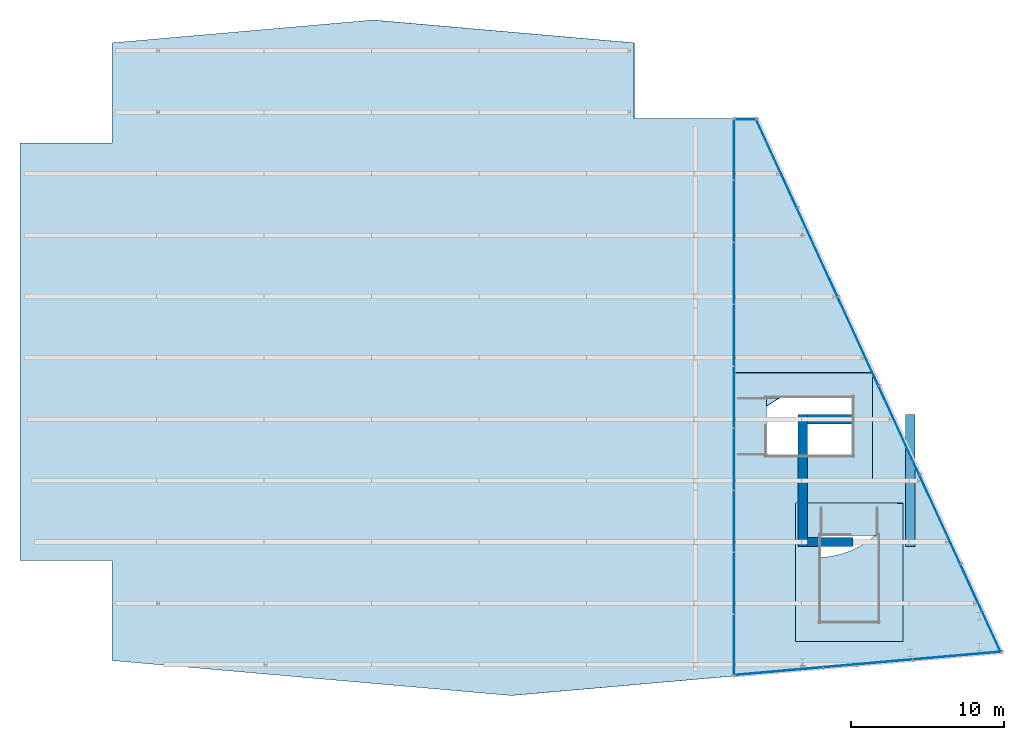
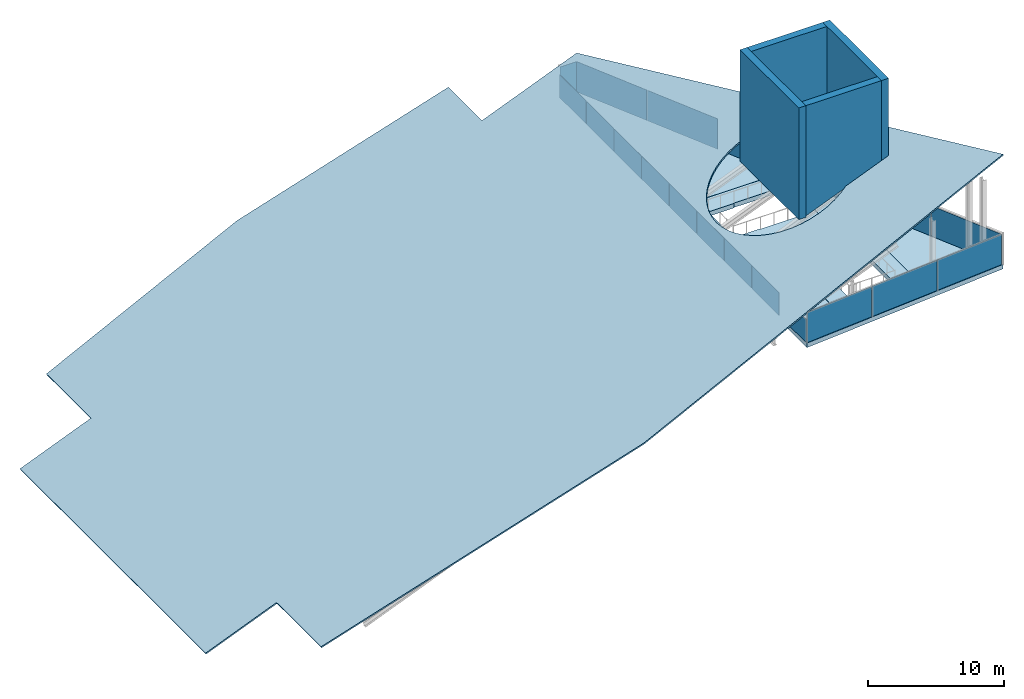
# One storey, part 7 of 8: 19 plates, 4 slabs, 4 walls, 4 elements without a shape of their own.
"""IFC4 building model written with IfcOpenShell, lengths in metres."""

from ifc_helpers import new_model, si_unit, direction, frame, frame_2d, origin, origin_2d, place, context, subcontext, project, spatial, polyline, rectangle, outline, extrude, material, layer, layer_set, type_object, element, aggregate, save


model = new_model("IFC4")

# Units and contexts
model_context = context("Model", 3, precision=1e-05, world=origin(), true_north=direction((0.0, 1.0)))
body_context = subcontext(model_context, "Body", "Model", "MODEL_VIEW")
ifc_project = project(units=[si_unit("LENGTHUNIT", "METRE"), si_unit("AREAUNIT", "SQUARE_METRE"), si_unit("VOLUMEUNIT", "CUBIC_METRE"), si_unit("PLANEANGLEUNIT", "RADIAN"), si_unit("MASSUNIT", "GRAM", prefix="KILO")], contexts=[model_context])

# Site, building, storey
site_placement = place(None, origin())
site = spatial("IfcSite", under=ifc_project, at=site_placement, CompositionType="ELEMENT")
building_placement = place(site_placement, origin())
building = spatial("IfcBuilding", under=site, at=building_placement, Name="Wharfspan Tower", CompositionType="ELEMENT")
storey_placement = place(building_placement, frame((0.0, 0.0, 277.100098)))
storey = spatial("IfcBuildingStorey", under=building, at=storey_placement, Name="L71", CompositionType="ELEMENT", Elevation=277.100098)

# Curtain wall, plates
ifc_material_1 = material(Name="Aluminium 6063-T6", Category="aluminium")
curtain_wall_type_1 = type_object("IfcCurtainWallType", Name="CURTAIN WALL CROWN GABLE", PredefinedType="NOTDEFINED", material=ifc_material_1)
curtain_wall_1_placement = place(storey_placement, origin())
curtain_wall_1 = element("IfcCurtainWall", 1, at=curtain_wall_1_placement, inside=storey, type_object=curtain_wall_type_1, Name="Crown gable glazing", PredefinedType="NOTDEFINED")
ifc_material_2 = material(Name="Glass clear low-iron double glazing", Category="glass")
ifc_layer_1 = layer(ifc_material_2, 0.035889)
ifc_layer_set_1 = layer_set([ifc_layer_1], Name="Glass clear low-iron double glazing")
plate_type_1 = type_object("IfcPlateType", Name="GLASS PANEL CROWN GABLE 36", PredefinedType="CURTAIN_PANEL", material=ifc_layer_set_1)
plate_1_placement = place(storey_placement, frame((60.531738, 9.304932, 0.0), z_axis=(0.0, 0.0, 1.0), x_axis=(0.0, 1.0, 0.0)))
plate_1 = element("IfcPlate", 2, at=plate_1_placement, type_object=plate_type_1, Name="Crown gable glazing panel 1", PredefinedType="CURTAIN_PANEL", context=body_context, shape_type="SweptSolid", body=[
    extrude(rectangle(XDim=3.946533, YDim=0.035889, at=origin_2d()), origin(), (0.0, 0.0, 1.0), 2.054443),
])
plate_2_placement = place(storey_placement, frame((60.531738, 13.326416, 0.0), z_axis=(0.0, 0.0, 1.0), x_axis=(0.0, 1.0, 0.0)))
plate_2 = element("IfcPlate", 3, at=plate_2_placement, type_object=plate_type_1, Name="Crown gable glazing panel 2", PredefinedType="CURTAIN_PANEL", context=body_context, shape_type="SweptSolid", body=[
    extrude(rectangle(XDim=3.976562, YDim=0.035889, at=origin_2d()), origin(), (0.0, 0.0, 1.0), 2.054443),
])
plate_3_placement = place(storey_placement, frame((60.531738, 17.362793, 0.0), z_axis=(0.0, 0.0, 1.0), x_axis=(0.0, 1.0, 0.0)))
plate_3 = element("IfcPlate", 4, at=plate_3_placement, type_object=plate_type_1, Name="Crown gable glazing panel 3", PredefinedType="CURTAIN_PANEL", context=body_context, shape_type="SweptSolid", body=[
    extrude(rectangle(XDim=3.976562, YDim=0.035889, at=origin_2d()), origin(), (0.0, 0.0, 1.0), 2.054443),
])
plate_4_placement = place(storey_placement, frame((60.531738, 21.399414, 0.0), z_axis=(0.0, 0.0, 1.0), x_axis=(0.0, 1.0, 0.0)))
plate_4 = element("IfcPlate", 5, at=plate_4_placement, type_object=plate_type_1, Name="Crown gable glazing panel 4", PredefinedType="CURTAIN_PANEL", context=body_context, shape_type="SweptSolid", body=[
    extrude(rectangle(XDim=3.976562, YDim=0.035889, at=origin_2d()), origin(), (0.0, 0.0, 1.0), 2.054443),
])
plate_5_placement = place(storey_placement, frame((60.531738, 25.435791, 0.0), z_axis=(0.0, 0.0, 1.0), x_axis=(0.0, 1.0, 0.0)))
plate_5 = element("IfcPlate", 6, at=plate_5_placement, type_object=plate_type_1, Name="Crown gable glazing panel 5", PredefinedType="CURTAIN_PANEL", context=body_context, shape_type="SweptSolid", body=[
    extrude(rectangle(XDim=3.976562, YDim=0.035889, at=origin_2d()), origin(), (0.0, 0.0, 1.0), 2.054443),
])
plate_6_placement = place(storey_placement, frame((60.531738, 29.472412, 0.0), z_axis=(0.0, 0.0, 1.0), x_axis=(0.0, 1.0, 0.0)))
plate_6 = element("IfcPlate", 7, at=plate_6_placement, type_object=plate_type_1, Name="Crown gable glazing panel 6", PredefinedType="CURTAIN_PANEL", context=body_context, shape_type="SweptSolid", body=[
    extrude(rectangle(XDim=3.976562, YDim=0.035889, at=origin_2d()), origin(), (0.0, 0.0, 1.0), 2.054443),
])
plate_7_placement = place(storey_placement, frame((60.531738, 33.508789, 0.0), z_axis=(0.0, 0.0, 1.0), x_axis=(0.0, 1.0, 0.0)))
plate_7 = element("IfcPlate", 8, at=plate_7_placement, type_object=plate_type_1, Name="Crown gable glazing panel 7", PredefinedType="CURTAIN_PANEL", context=body_context, shape_type="SweptSolid", body=[
    extrude(rectangle(XDim=3.976562, YDim=0.035889, at=origin_2d()), origin(), (0.0, 0.0, 1.0), 2.054443),
])
plate_8_placement = place(storey_placement, frame((60.531738, 37.545166, 0.0), z_axis=(0.0, 0.0, 1.0), x_axis=(0.0, 1.0, 0.0)))
plate_8 = element("IfcPlate", 9, at=plate_8_placement, type_object=plate_type_1, Name="Crown gable glazing panel 8", PredefinedType="CURTAIN_PANEL", context=body_context, shape_type="SweptSolid", body=[
    extrude(rectangle(XDim=3.976562, YDim=0.035889, at=origin_2d()), origin(), (0.0, 0.0, 1.0), 2.054443),
])
plate_9_placement = place(storey_placement, frame((60.531738, 41.56665, 0.0), z_axis=(0.0, 0.0, 1.0), x_axis=(0.0, 1.0, 0.0)))
plate_9 = element("IfcPlate", 10, at=plate_9_placement, type_object=plate_type_1, Name="Crown gable glazing panel 9", PredefinedType="CURTAIN_PANEL", context=body_context, shape_type="SweptSolid", body=[
    extrude(rectangle(XDim=3.946533, YDim=0.035889, at=origin_2d()), origin(), (0.0, 0.0, 1.0), 2.054443),
])
aggregate(curtain_wall_1, [plate_1, plate_2, plate_3, plate_4, plate_5, plate_6, plate_7, plate_8, plate_9])

curtain_wall_type_2 = type_object("IfcCurtainWallType", Name="CURTAIN WALL FACETED FRONT", PredefinedType="NOTDEFINED", material=ifc_material_1)
curtain_wall_2_placement = place(storey_placement, origin())
curtain_wall_2 = element("IfcCurtainWall", 11, at=curtain_wall_2_placement, inside=storey, type_object=curtain_wall_type_2, Name="Crown curtain wall S2", PredefinedType="NOTDEFINED")
ifc_layer_2 = layer(ifc_material_2, 0.040039)
ifc_layer_set_2 = layer_set([ifc_layer_2], Name="Glass clear low-iron double glazing")
plate_type_2 = type_object("IfcPlateType", Name="GLASS PANEL FACETED FRONT 40", PredefinedType="CURTAIN_PANEL", material=ifc_layer_set_2)
plate_10_placement = place(storey_placement, frame((63.436035, 7.585938, 0.0), z_axis=(0.0, 0.0, 1.0), x_axis=(0.996198, 0.087156, 0.0)))
plate_10 = element("IfcPlate", 12, at=plate_10_placement, type_object=plate_type_2, Name="Crown curtain wall S2 panel 1", PredefinedType="CURTAIN_PANEL", context=body_context, shape_type="SweptSolid", body=[
    extrude(rectangle(XDim=5.761719, YDim=0.040039, at=origin_2d()), origin(), (0.0, 0.0, 1.0), 2.719971),
])
plate_11_placement = place(storey_placement, frame((69.250732, 8.094727, 0.0), z_axis=(0.0, 0.0, 1.0), x_axis=(0.996198, 0.087156, 0.0)))
plate_11 = element("IfcPlate", 13, at=plate_11_placement, type_object=plate_type_2, Name="Crown curtain wall S2 panel 2", PredefinedType="CURTAIN_PANEL", context=body_context, shape_type="SweptSolid", body=[
    extrude(rectangle(XDim=5.791748, YDim=0.040039, at=origin_2d()), origin(), (0.0, 0.0, 1.0), 2.719971),
])
plate_12_placement = place(storey_placement, frame((75.065186, 8.603516, 0.0), z_axis=(0.0, 0.0, 1.0), x_axis=(0.996198, 0.087156, 0.0)))
plate_12 = element("IfcPlate", 14, at=plate_12_placement, type_object=plate_type_2, Name="Crown curtain wall S2 panel 3", PredefinedType="CURTAIN_PANEL", context=body_context, shape_type="SweptSolid", body=[
    extrude(rectangle(XDim=5.761719, YDim=0.040039, at=origin_2d()), origin(), (0.0, 0.0, 1.0), 2.719971),
])
aggregate(curtain_wall_2, [plate_10, plate_11, plate_12])

curtain_wall_type_3 = type_object("IfcCurtainWallType", Name="CURTAIN WALL PROW AND END", PredefinedType="NOTDEFINED", material=ifc_material_1)
curtain_wall_3_placement = place(storey_placement, origin())
curtain_wall_3 = element("IfcCurtainWall", 15, at=curtain_wall_3_placement, inside=storey, type_object=curtain_wall_type_3, Name="Crown curtain wall E", PredefinedType="NOTDEFINED")
ifc_layer_3 = layer(ifc_material_2, 0.040039)
ifc_layer_set_3 = layer_set([ifc_layer_3], Name="Glass clear low-iron double glazing")
plate_type_3 = type_object("IfcPlateType", Name="GLASS PANEL PROW AND END 40", PredefinedType="CURTAIN_PANEL", material=ifc_layer_set_3)
plate_13_placement = place(storey_placement, frame((76.589355, 11.680176, 0.0), z_axis=(0.0, 0.0, 1.0), x_axis=(-0.417292, 0.908769, 0.0)))
plate_13 = element("IfcPlate", 16, at=plate_13_placement, type_object=plate_type_3, Name="Crown curtain wall E panel 1", PredefinedType="CURTAIN_PANEL", context=body_context, shape_type="SweptSolid", body=[
    extrude(rectangle(XDim=6.292236, YDim=0.040039, at=origin_2d()), origin(), (0.0, 0.0, 1.0), 2.719971),
])
plate_14_placement = place(storey_placement, frame((73.932373, 17.466553, 0.0), z_axis=(0.0, 0.0, 1.0), x_axis=(-0.417292, 0.908769, 0.0)))
plate_14 = element("IfcPlate", 17, at=plate_14_placement, type_object=plate_type_3, Name="Crown curtain wall E panel 2", PredefinedType="CURTAIN_PANEL", context=body_context, shape_type="SweptSolid", body=[
    extrude(rectangle(XDim=6.322266, YDim=0.040039, at=origin_2d()), origin(), (0.0, 0.0, 1.0), 2.719971),
])
plate_15_placement = place(storey_placement, frame((71.269043, 23.266602, 0.0), z_axis=(0.0, 0.0, 1.0), x_axis=(-0.417292, 0.908769, 0.0)))
plate_15 = element("IfcPlate", 18, at=plate_15_placement, type_object=plate_type_3, Name="Crown curtain wall E panel 3", PredefinedType="CURTAIN_PANEL", context=body_context, shape_type="SweptSolid", body=[
    extrude(rectangle(XDim=6.322266, YDim=0.040039, at=origin_2d()), origin(), (0.0, 0.0, 1.0), 2.719971),
])
plate_16_placement = place(storey_placement, frame((68.605957, 29.06665, 0.0), z_axis=(0.0, 0.0, 1.0), x_axis=(-0.417292, 0.908769, 0.0)))
plate_16 = element("IfcPlate", 19, at=plate_16_placement, type_object=plate_type_3, Name="Crown curtain wall E panel 4", PredefinedType="CURTAIN_PANEL", context=body_context, shape_type="SweptSolid", body=[
    extrude(rectangle(XDim=6.322266, YDim=0.040039, at=origin_2d()), origin(), (0.0, 0.0, 1.0), 2.719971),
])
plate_17_placement = place(storey_placement, frame((65.942627, 34.866699, 0.0), z_axis=(0.0, 0.0, 1.0), x_axis=(-0.417292, 0.908769, 0.0)))
plate_17 = element("IfcPlate", 20, at=plate_17_placement, type_object=plate_type_3, Name="Crown curtain wall E panel 5", PredefinedType="CURTAIN_PANEL", context=body_context, shape_type="SweptSolid", body=[
    extrude(rectangle(XDim=6.322266, YDim=0.040039, at=origin_2d()), origin(), (0.0, 0.0, 1.0), 2.719971),
])
plate_18_placement = place(storey_placement, frame((63.285645, 40.653076, 0.0), z_axis=(0.0, 0.0, 1.0), x_axis=(-0.417292, 0.908769, 0.0)))
plate_18 = element("IfcPlate", 21, at=plate_18_placement, type_object=plate_type_3, Name="Crown curtain wall E panel 6", PredefinedType="CURTAIN_PANEL", context=body_context, shape_type="SweptSolid", body=[
    extrude(rectangle(XDim=6.292236, YDim=0.040039, at=origin_2d()), origin(), (0.0, 0.0, 1.0), 2.719971),
])
aggregate(curtain_wall_3, [plate_13, plate_14, plate_15, plate_16, plate_17, plate_18])

# Curtain wall, plate
curtain_wall_4_placement = place(storey_placement, origin())
curtain_wall_4 = element("IfcCurtainWall", 22, at=curtain_wall_4_placement, inside=storey, type_object=curtain_wall_type_3, Name="Crown curtain wall NRE-H", PredefinedType="NOTDEFINED")
plate_19_placement = place(storey_placement, frame((61.266113, 43.52002, 0.0), z_axis=(0.0, 0.0, 1.0), x_axis=(-1.0, 0.0, 0.0)))
plate_19 = element("IfcPlate", 23, at=plate_19_placement, type_object=plate_type_3, Name="Crown curtain wall NRE-H panel 1", PredefinedType="CURTAIN_PANEL", context=body_context, shape_type="SweptSolid", body=[
    extrude(rectangle(XDim=1.388672, YDim=0.040039, at=origin_2d()), origin(), (0.0, 0.0, 1.0), 2.719971),
])
aggregate(curtain_wall_4, [plate_19])

# Slabs
ifc_material_3 = material(Name="Concrete C40/50", Category="concrete")
ifc_layer_4 = layer(ifc_material_3, 0.399902)
ifc_layer_set_4 = layer_set([ifc_layer_4], Name="Concrete C40/50")
slab_type_1 = type_object("IfcSlabType", Name="Gallery deck 400", PredefinedType="USERDEFINED", material=ifc_layer_set_4)
slab_1_placement = place(storey_placement, frame((0.0, 0.0, -0.400146)))
element("IfcSlab", 24, at=slab_1_placement, inside=storey, type_object=slab_type_1, Name="Floor slab L71", ObjectType="GALLERY DECK", PredefinedType="USERDEFINED", context=body_context, shape_type="SweptSolid", body=[
    extrude(outline(polyline([(62.020508, 43.600098), (60.531494, 43.600098), (60.531494, 27.031738), (69.541504, 27.031738), (69.541504, 20.011719), (60.531494, 20.011719), (60.531494, 7.271729), (78.0, 8.800049), (62.020508, 43.600098)]), holes=[polyline([(64.521484, 9.511719), (64.521484, 18.531738), (71.541504, 18.531738), (71.541504, 9.511719), (64.521484, 9.511719)])]), origin(), (0.0, 0.0, 1.0), 0.400146),
])
slab_2_placement = place(storey_placement, frame((0.0, 0.0, -0.400146)))
element("IfcSlab", 25, at=slab_2_placement, inside=storey, type_object=slab_type_1, Name="Core floor slab L71 part 1", ObjectType="GALLERY DECK", PredefinedType="USERDEFINED", context=body_context, shape_type="SweptSolid", body=[
    extrude(outline(polyline([(60.531494, 20.021729), (69.531494, 20.021729), (69.531494, 27.021729), (60.531494, 27.021729), (60.531494, 20.021729)]), holes=[polyline([(64.81958, 25.398682), (64.81958, 25.446777), (64.81958, 25.447021), (64.81958, 25.447021), (64.81958, 25.447266), (64.819824, 25.44751), (64.819824, 25.447754), (64.820068, 25.447754), (64.820068, 25.447998), (64.820312, 25.447998), (64.820312, 25.448242), (64.820557, 25.448486), (64.820801, 25.448486), (64.820801, 25.448486), (64.821045, 25.448486), (64.821289, 25.44873), (64.821289, 25.44873), (64.821533, 25.44873), (68.281494, 25.44873), (68.281738, 25.44873), (68.281982, 25.44873), (68.282227, 25.448486), (68.282471, 25.448486), (68.282715, 25.448486), (68.282715, 25.448486), (68.282959, 25.448242), (68.282959, 25.447998), (68.283203, 25.447998), (68.283203, 25.447754), (68.283447, 25.447754), (68.283447, 25.44751), (68.283447, 25.447266), (68.283691, 25.447021), (68.283691, 25.447021), (68.283691, 25.446777), (68.283691, 21.59668), (68.283691, 21.596436), (68.283691, 21.596191), (68.283447, 21.596191), (68.283447, 21.595947), (68.283447, 21.595703), (68.283203, 21.595703), (68.283203, 21.595459), (68.282959, 21.595215), (68.282959, 21.595215), (68.282715, 21.595215), (68.282715, 21.594971), (68.282471, 21.594971), (68.282227, 21.594727), (68.281982, 21.594727), (68.281738, 21.594727), (68.281494, 21.594727), (64.821533, 21.594727), (64.821289, 21.594727), (64.821289, 21.594727), (64.821045, 21.594727), (64.820801, 21.594971), (64.820801, 21.594971), (64.820557, 21.595215), (64.820312, 21.595215), (64.820312, 21.595215), (64.820068, 21.595459), (64.820068, 21.595703), (64.819824, 21.595703), (64.819824, 21.595947), (64.81958, 21.596191), (64.81958, 21.596191), (64.81958, 21.596436), (64.81958, 21.59668), (64.81958, 21.644775), (62.631592, 21.644775), (62.631348, 21.644775), (62.631104, 21.644775), (62.631104, 21.644775), (62.630859, 21.64502), (62.630615, 21.64502), (62.630615, 21.64502), (62.630371, 21.645264), (62.630127, 21.645264), (62.630127, 21.645508), (62.629883, 21.645508), (62.629883, 21.645752), (62.629883, 21.645996), (62.629639, 21.645996), (62.629639, 21.64624), (62.629639, 21.646484), (62.629639, 21.646729), (62.629639, 25.396729), (62.629639, 25.396973), (62.629639, 25.397217), (62.629639, 25.397217), (62.629883, 25.397461), (62.629883, 25.397705), (62.629883, 25.397705), (62.630127, 25.397949), (62.630127, 25.398193), (62.630371, 25.398193), (62.630615, 25.398438), (62.630615, 25.398438), (62.630859, 25.398682), (62.631104, 25.398682), (62.631104, 25.398682), (62.631348, 25.398682), (62.631592, 25.398682), (64.81958, 25.398682)])]), origin(), (0.0, 0.0, 1.0), 0.400146),
])
slab_3_placement = place(storey_placement, frame((0.0, 0.0, -0.400146)))
element("IfcSlab", 26, at=slab_3_placement, inside=storey, type_object=slab_type_1, Name="Core floor slab L71 part 2", ObjectType="GALLERY DECK", PredefinedType="USERDEFINED", context=body_context, shape_type="SweptSolid", body=[
    extrude(outline(polyline([(64.531494, 9.521729), (71.531494, 9.521729), (71.531494, 18.521729), (64.531494, 18.521729), (64.531494, 9.521729)]), holes=[polyline([(66.154541, 16.421631), (66.154541, 16.421875), (66.154785, 16.422119), (66.154785, 16.422363), (66.154785, 16.422607), (66.154785, 16.422607), (66.155029, 16.422852), (66.155029, 16.423096), (66.155273, 16.423096), (66.155518, 16.42334), (66.155518, 16.42334), (66.155762, 16.423584), (66.156006, 16.423584), (66.156006, 16.423584), (66.15625, 16.423584), (66.156494, 16.423584), (66.156494, 16.423584), (69.906494, 16.423584), (69.906738, 16.423584), (69.906982, 16.423584), (69.907227, 16.423584), (69.907471, 16.423584), (69.907715, 16.423584), (69.907715, 16.42334), (69.907959, 16.42334), (69.907959, 16.423096), (69.908203, 16.423096), (69.908203, 16.422852), (69.908447, 16.422607), (69.908447, 16.422607), (69.908447, 16.422363), (69.908691, 16.422119), (69.908691, 16.421875), (69.908691, 16.421631), (69.908691, 14.233643), (69.956543, 14.233643), (69.956787, 14.233643), (69.957031, 14.233643), (69.957275, 14.233643), (69.95752, 14.233643), (69.95752, 14.233398), (69.957764, 14.233398), (69.958008, 14.233398), (69.958008, 14.233154), (69.958252, 14.23291), (69.958252, 14.23291), (69.958496, 14.232666), (69.958496, 14.232422), (69.958496, 14.232422), (69.958496, 14.232178), (69.958496, 14.231934), (69.958496, 14.231689), (69.958496, 10.771729), (69.958496, 10.771484), (69.958496, 10.77124), (69.958496, 10.770996), (69.958496, 10.770996), (69.958496, 10.770752), (69.958252, 10.770508), (69.958252, 10.770508), (69.958008, 10.770264), (69.958008, 10.770264), (69.957764, 10.77002), (69.95752, 10.77002), (69.95752, 10.77002), (69.957275, 10.769775), (69.957031, 10.769775), (69.956787, 10.769775), (69.956543, 10.769775), (66.106689, 10.769775), (66.106445, 10.769775), (66.106201, 10.769775), (66.106201, 10.769775), (66.105957, 10.77002), (66.105713, 10.77002), (66.105469, 10.77002), (66.105469, 10.770264), (66.105225, 10.770264), (66.10498, 10.770508), (66.10498, 10.770508), (66.10498, 10.770752), (66.104736, 10.770996), (66.104736, 10.770996), (66.104736, 10.77124), (66.104492, 10.771484), (66.104492, 10.771729), (66.104492, 14.231689), (66.104492, 14.231934), (66.104736, 14.232178), (66.104736, 14.232422), (66.104736, 14.232422), (66.10498, 14.232666), (66.10498, 14.23291), (66.10498, 14.23291), (66.105225, 14.233154), (66.105469, 14.233398), (66.105469, 14.233398), (66.105713, 14.233398), (66.105957, 14.233643), (66.106201, 14.233643), (66.106201, 14.233643), (66.106445, 14.233643), (66.106689, 14.233643), (66.154541, 14.233643), (66.154541, 16.421631)])]), origin(), (0.0, 0.0, 1.0), 0.400146),
])
ifc_material_4 = material(Name="Glass clear laminated roof glazing", Category="glass")
ifc_layer_5 = layer(ifc_material_4, 0.120117)
ifc_layer_set_5 = layer_set([ifc_layer_5], Name="Glass clear laminated roof glazing")
slab_type_2 = type_object("IfcSlabType", Name="ROOF GLAZING 120", PredefinedType="ROOF", material=ifc_layer_set_5)
slab_4_placement = place(storey_placement, frame((20.0, 8.275146, -13.575928), z_axis=(-0.374606, 1e-06, 0.927184), x_axis=(0.924147, -0.080859, 0.373379)))
element("IfcSlab", 27, at=slab_4_placement, inside=storey, type_object=slab_type_2, Name="Crown glazed roof", PredefinedType="ROOF", context=body_context, shape_type="SweptSolid", body=[
    extrude(outline(polyline([(0.0, 0.0), (28.134012, 0.0), (62.307763, 5.581353), (42.315783, 38.873877), (33.693719, 38.17441), (33.295502, 43.083089), (14.9002, 43.082958), (-3.254575, 40.117958), (-2.726975, 33.614422), (-9.176962, 33.091166), (-6.977587, 5.98028), (-0.5276, 6.503537), (0.0, 0.0)]), holes=[polyline([(54.374172, 16.676128), (54.265478, 17.387442), (54.057525, 18.078701), (53.75387, 18.737457), (53.359669, 19.352861), (52.881705, 19.914196), (52.328017, 20.412071), (51.708096, 20.837703), (51.03276, 21.183887), (50.313363, 21.444687), (49.562448, 21.615729), (48.792352, 21.694097), (48.016919, 21.678464), (47.249105, 21.568901), (46.501711, 21.367426), (45.788187, 21.077581), (45.120234, 20.704233), (44.509531, 20.253718), (43.966324, 19.733727), (43.500128, 19.153114), (43.118804, 18.522069), (42.829046, 17.851179), (42.635546, 17.152091), (42.541737, 16.436352), (42.54912, 15.716819), (42.657814, 15.005505), (42.865767, 14.314246), (43.169422, 13.65549), (43.563532, 13.040079), (44.041587, 12.478752), (44.595275, 11.980877), (45.215196, 11.555244), (45.890532, 11.20906), (46.609929, 10.948261), (47.360844, 10.777218), (48.13094, 10.69885), (48.906373, 10.714483), (49.674187, 10.824046), (50.421581, 11.025521), (51.135105, 11.315366), (51.803058, 11.688714), (52.413761, 12.139229), (52.956968, 12.65922), (53.423164, 13.239833), (53.804396, 13.870871), (54.094246, 14.541768), (54.287746, 15.240856), (54.381555, 15.956596), (54.374172, 16.676128)])]), origin(), (0.0, 0.0, -1.0), 0.120117),
])

# Walls
ifc_material_5 = material(Name="Concrete C50/60", Category="concrete")
ifc_layer_6 = layer(ifc_material_5, 0.600098)
ifc_layer_set_6 = layer_set([ifc_layer_6], Name="Concrete C50/60")
wall_type = type_object("IfcWallType", Name="Drum wall 600 C50/60", PredefinedType="SHEAR", material=ifc_layer_set_6)
wall_1_placement = place(storey_placement, frame((65.0, 15.699951, 4.473877), z_axis=(0.0, 0.0, 1.0), x_axis=(0.0, 1.0, 0.0)))
element("IfcWall", 28, at=wall_1_placement, inside=storey, type_object=wall_type, Name="Plant drum wall 1", PredefinedType="SHEAR", context=body_context, shape_type="SweptSolid", body=[
    extrude(rectangle(XDim=8.600098, YDim=0.600098, at=frame_2d((4.300049, 0.0))), origin(), (0.0, 0.0, 1.0), 9.983643),
])
wall_2_placement = place(storey_placement, frame((72.0, 15.699951, 7.302002), z_axis=(0.0, 0.0, 1.0), x_axis=(0.0, 1.0, 0.0)))
element("IfcWall", 29, at=wall_2_placement, inside=storey, type_object=wall_type, Name="Plant drum wall 2", PredefinedType="SHEAR", context=body_context, shape_type="SweptSolid", body=[
    extrude(rectangle(XDim=8.600098, YDim=0.600098, at=frame_2d((4.300049, 0.0))), origin(), (0.0, 0.0, 1.0), 7.155518),
])
for number, where, z_axis, x_axis, name in (
    (30, (65.300049, 16.0, 4.594971), (0.0, 0.0, 1.0), (1.0, 0.0, 0.0), "Plant drum wall 3"),
    (31, (65.300049, 24.0, 4.594971), (0.0, 0.0, 1.0), (1.0, 0.0, 0.0), "Plant drum wall 4"),
):
    element("IfcWall", number, at=place(storey_placement, frame(where, z_axis=z_axis, x_axis=x_axis)), inside=storey, type_object=wall_type, Name=name, PredefinedType="SHEAR", context=body_context, shape_type="SweptSolid", body=[
        extrude(outline(polyline([(0.0, 0.0), (6.399902, 2.585938), (6.399902, 9.862549), (0.0, 9.862549), (0.0, 0.0)])), frame((0.0, 0.300049, 0.0), z_axis=(0.0, -1.0, 0.0), x_axis=(1.0, 0.0, 0.0)), (0.0, 0.0, 1.0), 0.600098),
    ])

save(model, "model.ifc")
